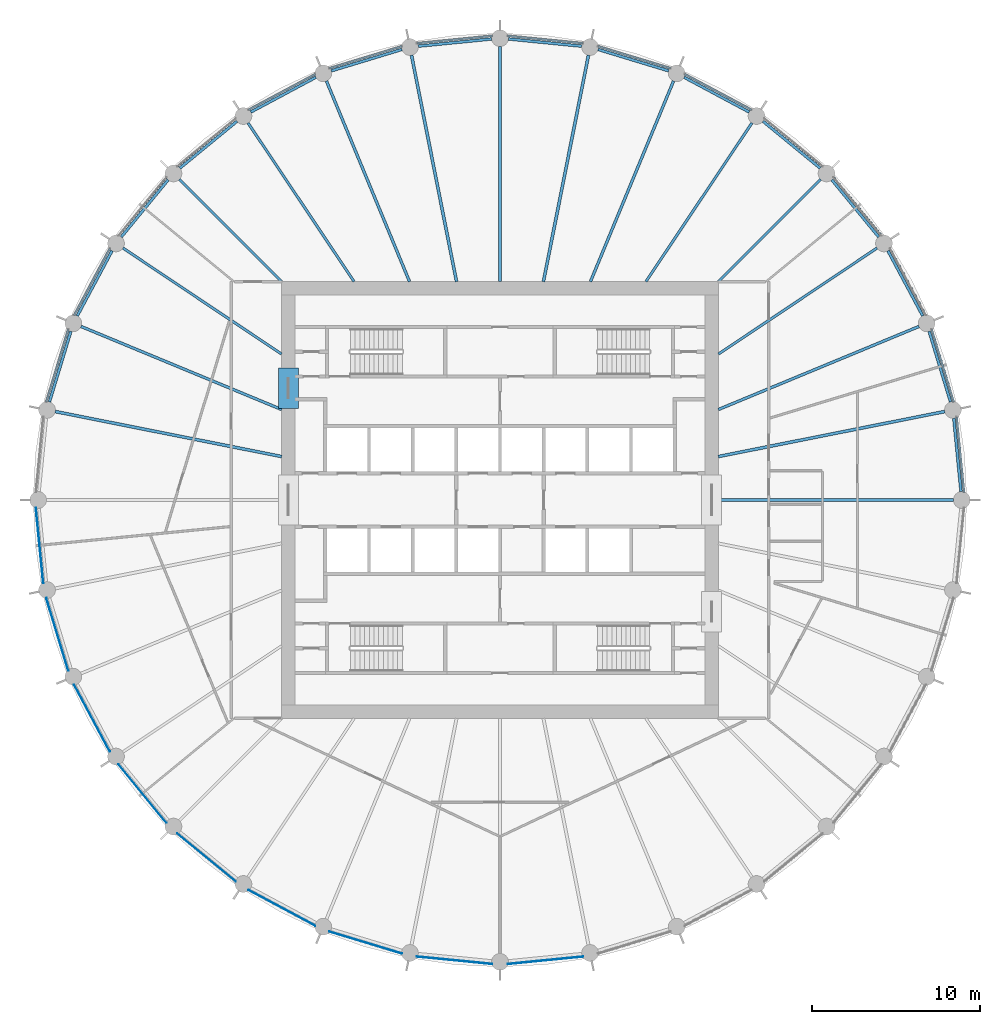
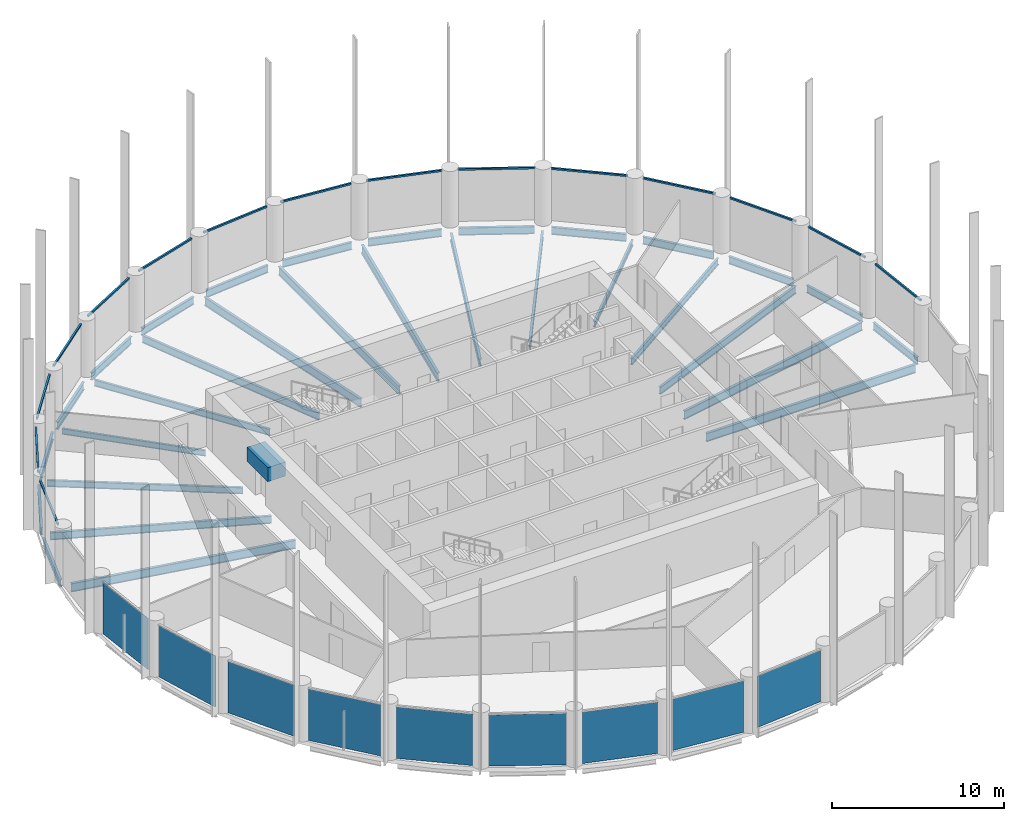
# One storey, part 2 of 8: 32 beams, 15 members, 9 plates, 24 elements without a shape of their own.
"""IFC4 building model written with IfcOpenShell, lengths in metres."""

import ifcopenshell
import ifcopenshell.guid

model = None  # the IFC model being written
_history = None  # IfcOwnerHistory: only IFC2X3 demands one
_inside = {}  # id of a spatial element -> (the spatial element, [elements in it])
_under = {}  # id of a project, library or spatial element -> (it, [spatial elements below it])
_declared = {}  # id of a project -> (the project, [libraries it declares])
_typed = {}  # id of a type object -> (the type object, [elements of that type])
_made_of = {}  # id of a material, layer set ... -> (it, [elements and type objects made of it])


def new_model(schema):
    """Start an empty IFC model of exactly this schema.

    Asked for "IFC4X3", IfcOpenShell would pick the latest addendum, in which some entities
    have other attributes; the version numbers below select the first issue.
    IFC2X3 requires an IfcOwnerHistory on every rooted entity: one is made here for all.
    """
    global model, _history
    if schema == "IFC4X3":
        model = ifcopenshell.file(schema_version=(4, 3, 0, 0))
    else:
        model = ifcopenshell.file(schema=schema)
    _inside.clear()
    _under.clear()
    _declared.clear()
    _typed.clear()
    _made_of.clear()
    _history = None
    if model.schema == "IFC2X3":
        org = make("IfcOrganization", Name="unknown")
        user = make(
            "IfcPersonAndOrganization",
            ThePerson=make("IfcPerson", FamilyName="unknown"),
            TheOrganization=org,
        )
        app = make(
            "IfcApplication",
            ApplicationDeveloper=org,
            Version="unknown",
            ApplicationFullName="unknown",
            ApplicationIdentifier="unknown",
        )
        _history = make(
            "IfcOwnerHistory",
            OwningUser=user,
            OwningApplication=app,
            ChangeAction="ADDED",
            CreationDate=0,
        )
    return model


def make(cls, **values):
    """One entity of the class cls with the attributes given. An attribute that is None is left unset."""
    return model.create_entity(
        cls, **{name: value for name, value in values.items() if value is not None}
    )


def rooted(cls, **values):
    """An entity with a GlobalId (a new one), such as an element, a storey or a relation."""
    return make(cls, GlobalId=ifcopenshell.guid.new(), OwnerHistory=_history, **values)


def si_unit(unit_type, name, prefix=None):
    """IfcSIUnit, for example si_unit("LENGTHUNIT", "METRE", prefix="MILLI")."""
    return make("IfcSIUnit", UnitType=unit_type, Prefix=prefix, Name=name)


def assignment(units):
    """IfcUnitAssignment: the units of a project."""
    return None if units is None else make("IfcUnitAssignment", Units=units)


def point(xyz):
    """IfcCartesianPoint."""
    return None if xyz is None else make("IfcCartesianPoint", Coordinates=xyz)


def direction(xyz):
    """IfcDirection."""
    return None if xyz is None else make("IfcDirection", DirectionRatios=xyz)


def frame(location, z_axis=None, x_axis=None):
    """IfcAxis2Placement3D, a coordinate frame: its origin and axes. An axis left out is left unset."""
    return make(
        "IfcAxis2Placement3D",
        Location=point(location),
        Axis=direction(z_axis),
        RefDirection=direction(x_axis),
    )


def frame_2d(location, x_axis=None):
    """IfcAxis2Placement2D, a coordinate frame in the plane: its origin and x axis."""
    return make(
        "IfcAxis2Placement2D", Location=point(location), RefDirection=direction(x_axis)
    )


def origin():
    """The frame at (0, 0, 0) with its axes left unset."""
    return frame((0.0, 0.0, 0.0))


def origin_2d():
    """The frame at (0, 0) in the plane with its x axis left unset."""
    return frame_2d((0.0, 0.0))


def place(relative_to, where):
    """IfcLocalPlacement: puts the frame where relative to a parent placement (None: the world)."""
    return make(
        "IfcLocalPlacement", PlacementRelTo=relative_to, RelativePlacement=where
    )


def context(
    kind, dimensions, precision=None, world=None, true_north=None, identifier=None
):
    """IfcGeometricRepresentationContext, for example the 3D "Model" context."""
    return make(
        "IfcGeometricRepresentationContext",
        ContextIdentifier=identifier,
        ContextType=kind,
        CoordinateSpaceDimension=dimensions,
        Precision=precision,
        WorldCoordinateSystem=world,
        TrueNorth=true_north,
    )


def subcontext(parent, identifier, kind, view, scale=None):
    """IfcGeometricRepresentationSubContext, for example "Body" below "Model"."""
    return make(
        "IfcGeometricRepresentationSubContext",
        ContextIdentifier=identifier,
        ContextType=kind,
        ParentContext=parent,
        TargetScale=scale,
        TargetView=view,
    )


def project(units=None, contexts=None):
    """IfcProject with its units and contexts."""
    return rooted(
        "IfcProject",
        Name="project",
        RepresentationContexts=contexts,
        UnitsInContext=assignment(units),
    )


def spatial(cls, under=None, at=None, **own):
    """A site, building, storey or space (cls), placed at a placement, below another one or the project."""
    s = rooted(cls, ObjectPlacement=at, **own)
    if under is not None:
        _under.setdefault(under.id(), (under, []))[1].append(s)
    return s


def profile(cls, at=None, kind="AREA", **sizes):
    """A parametric profile (cls). Its sizes go by their IFC names, for example OverallWidth=200.0."""
    return make(cls, ProfileType=kind, Position=at, **sizes)


def rectangle(**sizes):
    """IfcRectangleProfileDef."""
    return profile("IfcRectangleProfileDef", **sizes)


def i_section(**sizes):
    """IfcIShapeProfileDef."""
    return profile("IfcIShapeProfileDef", **sizes)


def extrude(swept, where, along, depth):
    """IfcExtrudedAreaSolid: the profile swept, set in the frame where, extruded along a direction by depth."""
    return make(
        "IfcExtrudedAreaSolid",
        SweptArea=swept,
        Position=where,
        ExtrudedDirection=direction(along),
        Depth=depth,
    )


def shape(context_of_items, identifier, shape_type, items):
    """IfcShapeRepresentation: the items that make up one representation, for example the "Body"."""
    return make(
        "IfcShapeRepresentation",
        ContextOfItems=context_of_items,
        RepresentationIdentifier=identifier,
        RepresentationType=shape_type,
        Items=items,
    )


def material(Name=None, Category=None):
    """IfcMaterial."""
    return make("IfcMaterial", Name=Name, Category=Category)


def layer(
    of_material, thickness, ventilated=None, Name=None, Category=None, Priority=None
):
    """IfcMaterialLayer: one layer of a wall or slab, of a material (None: an air gap)."""
    return make(
        "IfcMaterialLayer",
        Material=of_material,
        LayerThickness=thickness,
        IsVentilated=ventilated,
        Name=Name,
        Category=Category,
        Priority=Priority,
    )


def layer_set(layers, Name=None):
    """IfcMaterialLayerSet."""
    return make("IfcMaterialLayerSet", MaterialLayers=layers, LayerSetName=Name)


def material_profile(
    of_material, cross_section, Name=None, Category=None, Priority=None
):
    """IfcMaterialProfile: a cross section and its material."""
    return make(
        "IfcMaterialProfile",
        Name=Name,
        Material=of_material,
        Profile=cross_section,
        Priority=Priority,
        Category=Category,
    )


def profile_set(profiles, Name=None, composite=None):
    """IfcMaterialProfileSet."""
    return make(
        "IfcMaterialProfileSet",
        Name=Name,
        MaterialProfiles=profiles,
        CompositeProfile=composite,
    )


def made_of(thing, what):
    """Note that an element or type object is made of a material, layer set ...; save() writes the relation."""
    if what is not None:
        _made_of.setdefault(what.id(), (what, []))[1].append(thing)
    return thing


def type_object(cls, material=None, **own):
    """A type object (cls), such as IfcWallType, which elements share."""
    return made_of(rooted(cls, **own), material)


def element(
    cls,
    number,
    at=None,
    inside=None,
    cuts=None,
    type_object=None,
    material=None,
    context=None,
    identifier="Body",
    shape_type=None,
    held_by="IfcProductDefinitionShape",
    body=None,
    shapes=None,
    **own,
):
    """One element of the class cls, such as IfcWall. Its Tag is "e" and its number.

    at: its placement. inside: the storey or other place that contains it. cuts: it is an
    opening in that element (IfcRelVoidsElement). A single representation is given by context,
    identifier, shape_type and body (its items); several are given by shapes. held_by: the class
    of the entity that holds the representations. save() writes the other relations.
    """
    e = rooted(cls, Tag="e%d" % number, ObjectPlacement=at, **own)
    if body is not None:
        shapes = [shape(context, identifier, shape_type, body)]
    if shapes is not None:
        e.Representation = make(held_by, Representations=shapes)
    if inside is not None:
        _inside.setdefault(inside.id(), (inside, []))[1].append(e)
    if cuts is not None:
        rooted(
            "IfcRelVoidsElement", RelatingBuildingElement=cuts, RelatedOpeningElement=e
        )
    if type_object is not None:
        _typed.setdefault(type_object.id(), (type_object, []))[1].append(e)
    return made_of(e, material)


def aggregate(whole, parts):
    """IfcRelAggregates: a whole, such as a stair, and the parts it consists of."""
    return rooted("IfcRelAggregates", RelatingObject=whole, RelatedObjects=parts)


def save(model, path):
    """Write the relations noted so far, then the file.

    IfcRelAggregates (storeys below a building ...), IfcRelContainedInSpatialStructure (elements
    in a storey), IfcRelDefinesByType, IfcRelAssociatesMaterial and IfcRelDeclares: one each for
    every whole, place, type object, material and project.
    """
    for whole, parts in _under.values():
        aggregate(whole, parts)
    for where, things in _inside.values():
        rooted(
            "IfcRelContainedInSpatialStructure",
            RelatedElements=things,
            RelatingStructure=where,
        )
    for kind, things in _typed.values():
        rooted("IfcRelDefinesByType", RelatedObjects=things, RelatingType=kind)
    for what, things in _made_of.values():
        rooted("IfcRelAssociatesMaterial", RelatedObjects=things, RelatingMaterial=what)
    for by, libraries in _declared.values():
        rooted("IfcRelDeclares", RelatingContext=by, RelatedDefinitions=libraries)
    model.write(path)


model = new_model("IFC4")

# Units and contexts
model_context = context("Model", 3, precision=1e-05, world=origin(), true_north=direction((0.0, 1.0)))
body_context = subcontext(model_context, "Body", "Model", "MODEL_VIEW")
ifc_project = project(units=[si_unit("LENGTHUNIT", "METRE"), si_unit("AREAUNIT", "SQUARE_METRE"), si_unit("VOLUMEUNIT", "CUBIC_METRE"), si_unit("PLANEANGLEUNIT", "RADIAN"), si_unit("MASSUNIT", "GRAM", prefix="KILO")], contexts=[model_context])

# Site, building, storey
site_placement = place(None, origin())
site = spatial("IfcSite", under=ifc_project, at=site_placement, CompositionType="ELEMENT")
building_placement = place(site_placement, origin())
building = spatial("IfcBuilding", under=site, at=building_placement, Name="Corvane Civic Tower", CompositionType="ELEMENT")
storey_placement = place(building_placement, frame((0.0, 0.0, 249.5)))
storey = spatial("IfcBuildingStorey", under=building, at=storey_placement, Name="L59", CompositionType="ELEMENT", Elevation=249.5)

# Beams
ifc_material_1 = material(Name="Concrete C50/60", Category="concrete")
ifc_material_profile_1 = material_profile(ifc_material_1, rectangle(XDim=1.199951171875, YDim=1.0, at=origin_2d()), Name="COUPLING BEAM 1200X1000")
ifc_profile_set_1 = profile_set([ifc_material_profile_1], Name="Concrete C50/60")
beam_type_1 = type_object("IfcBeamType", Name="COUPLING BEAM COUPLING BEAM 1200X1000", PredefinedType="BEAM", material=ifc_profile_set_1)
beam_1_placement = place(storey_placement, frame((-12.60009765625, 5.449951171875, 2.60009765625), z_axis=(0.0, 1.0, 0.0), x_axis=(-1.0, 0.0, 0.0)))
element("IfcBeam", 1, at=beam_1_placement, inside=storey, type_object=beam_type_1, Name="BM-L59-cpl-CW-WN", PredefinedType="BEAM", context=body_context, shape_type="SweptSolid", body=[
    extrude(rectangle(XDim=1.199951171875, YDim=1.0, at=origin_2d()), origin(), (0.0, 0.0, 1.0), 2.400146484375),
])
ifc_material_2 = material(Name="Steel ASTM A992 Gr 50", Category="steel")
ifc_material_profile_2 = material_profile(ifc_material_2, i_section(OverallWidth=0.165771484375, OverallDepth=0.5283203125, WebThickness=0.009765625, FlangeThickness=0.013671875, at=origin_2d()), Name="W21X50")
ifc_profile_set_2 = profile_set([ifc_material_profile_2], Name="Steel ASTM A992 Gr 50")
beam_type_2 = type_object("IfcBeamType", Name="EDGE BEAM W21X50", PredefinedType="BEAM", material=ifc_profile_set_2)
beam_2_placement = place(storey_placement, frame((0.49755859375, 27.450927734375, -0.564208984375), z_axis=(0.995189593769, -0.097967711281, 0.0), x_axis=(0.097967711281, 0.995189593769, 0.0)))
element("IfcBeam", 2, at=beam_2_placement, inside=storey, type_object=beam_type_2, Name="BM-L59-E01", PredefinedType="BEAM", context=body_context, shape_type="SweptSolid", body=[
    extrude(i_section(OverallWidth=0.165771484375, OverallDepth=0.5283203125, WebThickness=0.009765625, FlangeThickness=0.013671875, at=origin_2d()), origin(), (0.0, 0.0, 1.0), 4.39111328125),
])
beam_3_placement = place(storey_placement, frame((5.843505859375, 26.826416015625, -0.564208984375), z_axis=(0.956949547653, -0.290254307888, 0.0), x_axis=(0.290254307888, 0.956949547653, 0.0)))
element("IfcBeam", 3, at=beam_3_placement, inside=storey, type_object=beam_type_2, Name="BM-L59-E02", PredefinedType="BEAM", context=body_context, shape_type="SweptSolid", body=[
    extrude(i_section(OverallWidth=0.165771484375, OverallDepth=0.5283203125, WebThickness=0.009765625, FlangeThickness=0.013671875, at=origin_2d()), origin(), (0.0, 0.0, 1.0), 4.390625),
])
for number, where, z_axis, x_axis, name in (
    (4, (10.964599609375, 25.171142578125, -0.564208984375), (0.881907756852, -0.471422006704, 0.0), (0.471422006704, 0.881907756852, 0.0), "BM-L59-E03"),
    (5, (15.66455078125, 22.54833984375, -0.564208984375), (0.773030026524, -0.634369433447, 0.0), (0.634369433447, 0.773030026524, 0.0), "BM-L59-E04"),
    (6, (19.7626953125, 19.05908203125, -0.564208984375), (0.634369433447, -0.773030026524, 0.0), (0.773030026524, 0.634369433447, 0.0), "BM-L59-E05"),
    (7, (23.10107421875, 14.837158203125, -0.564208984375), (0.471422006704, -0.881907756852, 0.0), (0.881907756852, 0.471422006704, 0.0), "BM-L59-E06"),
):
    element("IfcBeam", number, at=place(storey_placement, frame(where, z_axis=z_axis, x_axis=x_axis)), inside=storey, type_object=beam_type_2, Name=name, PredefinedType="BEAM", context=body_context, shape_type="SweptSolid", body=[
        extrude(i_section(OverallWidth=0.165771484375, OverallDepth=0.5283203125, WebThickness=0.009765625, FlangeThickness=0.013671875, at=origin_2d()), origin(), (0.0, 0.0, 1.0), 4.39111328125),
    ])
beam_4_placement = place(storey_placement, frame((25.552001953125, 10.045166015625, -0.564208984375), z_axis=(0.290254307888, -0.956949547653, 0.0), x_axis=(0.956949547653, 0.290254307888, 0.0)))
element("IfcBeam", 8, at=beam_4_placement, inside=storey, type_object=beam_type_2, Name="BM-L59-E07", PredefinedType="BEAM", context=body_context, shape_type="SweptSolid", body=[
    extrude(i_section(OverallWidth=0.165771484375, OverallDepth=0.5283203125, WebThickness=0.009765625, FlangeThickness=0.013671875, at=origin_2d()), origin(), (0.0, 0.0, 1.0), 4.390625),
])
beam_5_placement = place(storey_placement, frame((27.020751953125, 4.867431640625, -0.564208984375), z_axis=(0.097967711281, -0.995189593769, 0.0), x_axis=(0.995189593769, 0.097967711281, 0.0)))
element("IfcBeam", 9, at=beam_5_placement, inside=storey, type_object=beam_type_2, Name="BM-L59-E08", PredefinedType="BEAM", context=body_context, shape_type="SweptSolid", body=[
    extrude(i_section(OverallWidth=0.165771484375, OverallDepth=0.5283203125, WebThickness=0.009765625, FlangeThickness=0.013671875, at=origin_2d()), origin(), (0.0, 0.0, 1.0), 4.39111328125),
])
beam_6_placement = place(storey_placement, frame((-26.826416015625, 5.843505859375, -0.564208984375), z_axis=(0.290254307888, 0.956949547653, 0.0), x_axis=(-0.956949547653, 0.290254307888, 0.0)))
element("IfcBeam", 10, at=beam_6_placement, inside=storey, type_object=beam_type_2, Name="BM-L59-E26", PredefinedType="BEAM", context=body_context, shape_type="SweptSolid", body=[
    extrude(i_section(OverallWidth=0.165771484375, OverallDepth=0.5283203125, WebThickness=0.009765625, FlangeThickness=0.013671875, at=origin_2d()), origin(), (0.0, 0.0, 1.0), 4.390625),
])
for number, where, z_axis, x_axis, name in (
    (11, (-25.171142578125, 10.964599609375, -0.564208984375), (0.471422006704, 0.881907756852, 0.0), (-0.881907756852, 0.471422006704, 0.0), "BM-L59-E27"),
    (12, (-22.54833984375, 15.66455078125, -0.564208984375), (0.634369433447, 0.773030026524, 0.0), (-0.773030026524, 0.634369433447, 0.0), "BM-L59-E28"),
    (13, (-19.05908203125, 19.7626953125, -0.564208984375), (0.773030026524, 0.634369433447, 0.0), (-0.634369433447, 0.773030026524, 0.0), "BM-L59-E29"),
    (14, (-14.837158203125, 23.10107421875, -0.564208984375), (0.881907756852, 0.471422006704, 0.0), (-0.471422006704, 0.881907756852, 0.0), "BM-L59-E30"),
):
    element("IfcBeam", number, at=place(storey_placement, frame(where, z_axis=z_axis, x_axis=x_axis)), inside=storey, type_object=beam_type_2, Name=name, PredefinedType="BEAM", context=body_context, shape_type="SweptSolid", body=[
        extrude(i_section(OverallWidth=0.165771484375, OverallDepth=0.5283203125, WebThickness=0.009765625, FlangeThickness=0.013671875, at=origin_2d()), origin(), (0.0, 0.0, 1.0), 4.39111328125),
    ])
beam_7_placement = place(storey_placement, frame((-10.045166015625, 25.552001953125, -0.564208984375), z_axis=(0.956949547653, 0.290254307888, 0.0), x_axis=(-0.290254307888, 0.956949547653, 0.0)))
element("IfcBeam", 15, at=beam_7_placement, inside=storey, type_object=beam_type_2, Name="BM-L59-E31", PredefinedType="BEAM", context=body_context, shape_type="SweptSolid", body=[
    extrude(i_section(OverallWidth=0.165771484375, OverallDepth=0.5283203125, WebThickness=0.009765625, FlangeThickness=0.013671875, at=origin_2d()), origin(), (0.0, 0.0, 1.0), 4.390625),
])
beam_8_placement = place(storey_placement, frame((-4.867431640625, 27.020751953125, -0.564208984375), z_axis=(0.995189593769, 0.097967711281, 0.0), x_axis=(-0.097967711281, 0.995189593769, 0.0)))
element("IfcBeam", 16, at=beam_8_placement, inside=storey, type_object=beam_type_2, Name="BM-L59-E32", PredefinedType="BEAM", context=body_context, shape_type="SweptSolid", body=[
    extrude(i_section(OverallWidth=0.165771484375, OverallDepth=0.5283203125, WebThickness=0.009765625, FlangeThickness=0.013671875, at=origin_2d()), origin(), (0.0, 0.0, 1.0), 4.39111328125),
])
ifc_material_3 = material(Name="Steel ASTM A992 Gr 50", Category="steel")
ifc_material_profile_3 = material_profile(ifc_material_3, i_section(OverallWidth=0.140380859375, OverallDepth=0.40380859375, WebThickness=0.007080078125, FlangeThickness=0.01123046875, at=origin_2d()), Name="W16X31")
ifc_profile_set_3 = profile_set([ifc_material_profile_3], Name="Steel ASTM A992 Gr 50")
beam_type_3 = type_object("IfcBeamType", Name="FLOOR GIRDER W16X31", PredefinedType="BEAM", material=ifc_profile_set_3)
for number, where, z_axis, x_axis, name in (
    (17, (13.0, 13.0, -0.501953125), (0.707106781187, 0.707106781187, 0.0), (-0.707106781187, 0.707106781187, 0.0), "BM-L59-G05"),
    (18, (-13.0, 13.0, -0.501953125), (-0.707106781187, 0.707106781187, 0.0), (-0.707106781187, -0.707106781187, 0.0), "BM-L59-G29"),
):
    element("IfcBeam", number, at=place(storey_placement, frame(where, z_axis=z_axis, x_axis=x_axis)), inside=storey, type_object=beam_type_3, Name=name, PredefinedType="BEAM", context=body_context, shape_type="SweptSolid", body=[
        extrude(i_section(OverallWidth=0.140380859375, OverallDepth=0.40380859375, WebThickness=0.007080078125, FlangeThickness=0.01123046875, at=origin_2d()), origin(), (0.0, 0.0, 1.0), 8.614990234375),
    ])
ifc_material_4 = material(Name="Steel ASTM A992 Gr 50", Category="steel")
ifc_material_profile_4 = material_profile(ifc_material_4, i_section(OverallWidth=0.15283203125, OverallDepth=0.45458984375, WebThickness=0.008056640625, FlangeThickness=0.013427734375, at=origin_2d()), Name="W18X40")
ifc_profile_set_4 = profile_set([ifc_material_profile_4], Name="Steel ASTM A992 Gr 50")
beam_type_4 = type_object("IfcBeamType", Name="FLOOR GIRDER W18X40", PredefinedType="BEAM", material=ifc_profile_set_4)
for number, where, z_axis, x_axis, name in (
    (19, (8.686279296875, 13.0, -0.52734375), (0.555577326485, 0.831464872557, 0.0), (-0.831464872557, 0.555577326485, 0.0), "BM-L59-G04"),
    (20, (13.0, 8.686279296875, -0.52734375), (0.831464872557, 0.555577326485, 0.0), (-0.555577326485, 0.831464872557, 0.0), "BM-L59-G06"),
    (21, (-13.0, 8.686279296875, -0.52734375), (-0.831464872557, 0.555577326485, 0.0), (-0.555577326485, -0.831464872557, 0.0), "BM-L59-G28"),
    (22, (-8.686279296875, 13.0, -0.52734375), (-0.555577326485, 0.831464872557, 0.0), (-0.831464872557, -0.555577326485, 0.0), "BM-L59-G30"),
):
    element("IfcBeam", number, at=place(storey_placement, frame(where, z_axis=z_axis, x_axis=x_axis)), inside=storey, type_object=beam_type_4, Name=name, PredefinedType="BEAM", context=body_context, shape_type="SweptSolid", body=[
        extrude(i_section(OverallWidth=0.15283203125, OverallDepth=0.45458984375, WebThickness=0.008056640625, FlangeThickness=0.013427734375, at=origin_2d()), origin(), (0.0, 0.0, 1.0), 11.365234375),
    ])
ifc_material_5 = material(Name="Steel ASTM A992 Gr 50", Category="steel")
ifc_material_profile_5 = material_profile(ifc_material_5, i_section(OverallWidth=0.165771484375, OverallDepth=0.5283203125, WebThickness=0.009765625, FlangeThickness=0.013671875, at=origin_2d()), Name="W21X50")
ifc_profile_set_5 = profile_set([ifc_material_profile_5], Name="Steel ASTM A992 Gr 50")
beam_type_5 = type_object("IfcBeamType", Name="FLOOR GIRDER W21X50", PredefinedType="BEAM", material=ifc_profile_set_5)
for number, where, z_axis, x_axis, name in (
    (23, (5.384765625, 13.0, -0.564208984375), (0.382686450378, 0.923878282404, 0.0), (-0.923878282404, 0.382686450378, 0.0), "BM-L59-G03"),
    (24, (13.0, 5.384765625, -0.564208984375), (0.923878282404, 0.382686450378, 0.0), (-0.382686450378, 0.923878282404, 0.0), "BM-L59-G07"),
    (25, (-13.0, 5.384765625, -0.564208984375), (-0.923878282404, 0.382686450378, 0.0), (-0.382686450378, -0.923878282404, 0.0), "BM-L59-G27"),
    (26, (-5.384765625, 13.0, -0.564208984375), (-0.382686450378, 0.923878282404, 0.0), (-0.923878282404, -0.382686450378, 0.0), "BM-L59-G31"),
):
    element("IfcBeam", number, at=place(storey_placement, frame(where, z_axis=z_axis, x_axis=x_axis)), inside=storey, type_object=beam_type_5, Name=name, PredefinedType="BEAM", context=body_context, shape_type="SweptSolid", body=[
        extrude(i_section(OverallWidth=0.165771484375, OverallDepth=0.5283203125, WebThickness=0.009765625, FlangeThickness=0.013671875, at=origin_2d()), origin(), (0.0, 0.0, 1.0), 12.928955078125),
    ])
ifc_material_6 = material(Name="Steel ASTM A992 Gr 50", Category="steel")
ifc_material_profile_6 = material_profile(ifc_material_6, i_section(OverallWidth=0.177978515625, OverallDepth=0.599365234375, WebThickness=0.010009765625, FlangeThickness=0.012939453125, at=origin_2d()), Name="W24X55")
ifc_profile_set_6 = profile_set([ifc_material_profile_6], Name="Steel ASTM A992 Gr 50")
beam_type_6 = type_object("IfcBeamType", Name="FLOOR GIRDER W24X55", PredefinedType="BEAM", material=ifc_profile_set_6)
beam_9_placement = place(storey_placement, frame((0.0, 13.0, -0.599609375), z_axis=(0.0, 1.0, 0.0), x_axis=(-1.0, 0.0, 0.0)))
element("IfcBeam", 27, at=beam_9_placement, inside=storey, type_object=beam_type_6, Name="BM-L59-G01", PredefinedType="BEAM", context=body_context, shape_type="SweptSolid", body=[
    extrude(i_section(OverallWidth=0.177978515625, OverallDepth=0.599365234375, WebThickness=0.010009765625, FlangeThickness=0.012939453125, at=origin_2d()), origin(), (0.0, 0.0, 1.0), 14.0),
])
for number, where, z_axis, x_axis, name in (
    (28, (2.5859375, 13.0, -0.599609375), (0.195077644118, 0.980787802109, 0.0), (-0.980787802109, 0.195077644118, 0.0), "BM-L59-G02"),
    (29, (13.0, 2.5859375, -0.599609375), (0.980787802109, 0.195077644118, 0.0), (-0.195077644118, 0.980787802109, 0.0), "BM-L59-G08"),
):
    element("IfcBeam", number, at=place(storey_placement, frame(where, z_axis=z_axis, x_axis=x_axis)), inside=storey, type_object=beam_type_6, Name=name, PredefinedType="BEAM", context=body_context, shape_type="SweptSolid", body=[
        extrude(i_section(OverallWidth=0.177978515625, OverallDepth=0.599365234375, WebThickness=0.010009765625, FlangeThickness=0.012939453125, at=origin_2d()), origin(), (0.0, 0.0, 1.0), 13.745361328125),
    ])
beam_10_placement = place(storey_placement, frame((13.0, 0.0, -0.599609375), z_axis=(1.0, 0.0, 0.0), x_axis=(0.0, 1.0, 0.0)))
element("IfcBeam", 30, at=beam_10_placement, inside=storey, type_object=beam_type_6, Name="BM-L59-G09", PredefinedType="BEAM", context=body_context, shape_type="SweptSolid", body=[
    extrude(i_section(OverallWidth=0.177978515625, OverallDepth=0.599365234375, WebThickness=0.010009765625, FlangeThickness=0.012939453125, at=origin_2d()), origin(), (0.0, 0.0, 1.0), 14.0),
])
for number, where, z_axis, x_axis, name in (
    (31, (-13.0, 2.5859375, -0.599609375), (-0.980787802109, 0.195077644118, 0.0), (-0.195077644118, -0.980787802109, 0.0), "BM-L59-G26"),
    (32, (-2.5859375, 13.0, -0.599609375), (-0.195077644118, 0.980787802109, 0.0), (-0.980787802109, -0.195077644118, 0.0), "BM-L59-G32"),
):
    element("IfcBeam", number, at=place(storey_placement, frame(where, z_axis=z_axis, x_axis=x_axis)), inside=storey, type_object=beam_type_6, Name=name, PredefinedType="BEAM", context=body_context, shape_type="SweptSolid", body=[
        extrude(i_section(OverallWidth=0.177978515625, OverallDepth=0.599365234375, WebThickness=0.010009765625, FlangeThickness=0.012939453125, at=origin_2d()), origin(), (0.0, 0.0, 1.0), 13.745361328125),
    ])

# Curtain wall, member
ifc_material_7 = material(Name="Anodised aluminium bronze", Category="aluminium")
curtain_wall_type = type_object("IfcCurtainWallType", Name="TOWER CW-T2 STICK CURTAIN WALL", PredefinedType="NOTDEFINED", material=ifc_material_7)
curtain_wall_1_placement = place(storey_placement, origin())
curtain_wall_1 = element("IfcCurtainWall", 33, at=curtain_wall_1_placement, inside=storey, type_object=curtain_wall_type, Name="Curtain wall CW-T2 L59 bay 01", PredefinedType="NOTDEFINED")
ifc_material_8 = material(Name="Anodised aluminium bronze", Category="aluminium")
ifc_material_profile_7 = material_profile(ifc_material_8, rectangle(XDim=0.1201171875, YDim=0.1201171875, at=origin_2d()), Name="TOWER CW-T2 TRANSOM 120x120")
ifc_profile_set_7 = profile_set([ifc_material_profile_7], Name="Anodised aluminium bronze")
member_type = type_object("IfcMemberType", Name="TOWER CW-T2 TRANSOM 120x120", PredefinedType="USERDEFINED", material=ifc_profile_set_7)
member_1_placement = place(storey_placement, frame((0.452392578125, 27.635498046875, 3.68994140625), z_axis=(0.995182207386, -0.098042715701, 0.0), x_axis=(0.098042715701, 0.995182207386, 0.0)))
member_1 = element("IfcMember", 34, at=member_1_placement, type_object=member_type, Name="Transom CW-T2 L59 01.1", ObjectType="TRANSOM", PredefinedType="USERDEFINED", context=body_context, shape_type="SweptSolid", body=[
    extrude(rectangle(XDim=0.1201171875, YDim=0.1201171875, at=origin_2d()), origin(), (0.0, 0.0, 1.0), 4.51708984375),
])
aggregate(curtain_wall_1, [member_1])

curtain_wall_2_placement = place(storey_placement, origin())
curtain_wall_2 = element("IfcCurtainWall", 35, at=curtain_wall_2_placement, inside=storey, type_object=curtain_wall_type, Name="Curtain wall CW-T2 L59 bay 02", PredefinedType="NOTDEFINED")
member_2_placement = place(storey_placement, frame((5.8349609375, 27.016357421875, 3.68994140625), z_axis=(0.956941182173, -0.2902818869, 0.0), x_axis=(0.2902818869, 0.956941182173, 0.0)))
member_2 = element("IfcMember", 36, at=member_2_placement, type_object=member_type, Name="Transom CW-T2 L59 02.1", ObjectType="TRANSOM", PredefinedType="USERDEFINED", context=body_context, shape_type="SweptSolid", body=[
    extrude(rectangle(XDim=0.1201171875, YDim=0.1201171875, at=origin_2d()), origin(), (0.0, 0.0, 1.0), 4.517333984375),
])
aggregate(curtain_wall_2, [member_2])

curtain_wall_3_placement = place(storey_placement, origin())
curtain_wall_3 = element("IfcCurtainWall", 37, at=curtain_wall_3_placement, inside=storey, type_object=curtain_wall_type, Name="Curtain wall CW-T2 L59 bay 03", PredefinedType="NOTDEFINED")
member_3_placement = place(storey_placement, frame((10.993408203125, 25.35888671875, 3.68994140625), z_axis=(0.881924695689, -0.471390317183, 0.0), x_axis=(0.471390317183, 0.881924695689, 0.0)))
member_3 = element("IfcMember", 38, at=member_3_placement, type_object=member_type, Name="Transom CW-T2 L59 03.1", ObjectType="TRANSOM", PredefinedType="USERDEFINED", context=body_context, shape_type="SweptSolid", body=[
    extrude(rectangle(XDim=0.1201171875, YDim=0.1201171875, at=origin_2d()), origin(), (0.0, 0.0, 1.0), 4.517333984375),
])
aggregate(curtain_wall_3, [member_3])

curtain_wall_4_placement = place(storey_placement, origin())
curtain_wall_4 = element("IfcCurtainWall", 39, at=curtain_wall_4_placement, inside=storey, type_object=curtain_wall_type, Name="Curtain wall CW-T2 L59 bay 04", PredefinedType="NOTDEFINED")
member_4_placement = place(storey_placement, frame((15.7294921875, 22.726806640625, 3.68994140625), z_axis=(0.773014925698, -0.634387834569, 0.0), x_axis=(0.634387834569, 0.773014925698, 0.0)))
member_4 = element("IfcMember", 40, at=member_4_placement, type_object=member_type, Name="Transom CW-T2 L59 04.1", ObjectType="TRANSOM", PredefinedType="USERDEFINED", context=body_context, shape_type="SweptSolid", body=[
    extrude(rectangle(XDim=0.1201171875, YDim=0.1201171875, at=origin_2d()), origin(), (0.0, 0.0, 1.0), 4.517333984375),
])
aggregate(curtain_wall_4, [member_4])

curtain_wall_5_placement = place(storey_placement, origin())
curtain_wall_5 = element("IfcCurtainWall", 41, at=curtain_wall_5_placement, inside=storey, type_object=curtain_wall_type, Name="Curtain wall CW-T2 L59 bay 05", PredefinedType="NOTDEFINED")
member_5_placement = place(storey_placement, frame((19.861083984375, 19.221435546875, 3.68994140625), z_axis=(0.634387834569, -0.773014925698, 0.0), x_axis=(0.773014925698, 0.634387834569, 0.0)))
member_5 = element("IfcMember", 42, at=member_5_placement, type_object=member_type, Name="Transom CW-T2 L59 05.1", ObjectType="TRANSOM", PredefinedType="USERDEFINED", context=body_context, shape_type="SweptSolid", body=[
    extrude(rectangle(XDim=0.1201171875, YDim=0.1201171875, at=origin_2d()), origin(), (0.0, 0.0, 1.0), 4.517333984375),
])
aggregate(curtain_wall_5, [member_5])

curtain_wall_6_placement = place(storey_placement, origin())
curtain_wall_6 = element("IfcCurtainWall", 43, at=curtain_wall_6_placement, inside=storey, type_object=curtain_wall_type, Name="Curtain wall CW-T2 L59 bay 06", PredefinedType="NOTDEFINED")
member_6_placement = place(storey_placement, frame((23.2294921875, 14.977294921875, 3.68994140625), z_axis=(0.471390317183, -0.881924695689, 0.0), x_axis=(0.881924695689, 0.471390317183, 0.0)))
member_6 = element("IfcMember", 44, at=member_6_placement, type_object=member_type, Name="Transom CW-T2 L59 06.1", ObjectType="TRANSOM", PredefinedType="USERDEFINED", context=body_context, shape_type="SweptSolid", body=[
    extrude(rectangle(XDim=0.1201171875, YDim=0.1201171875, at=origin_2d()), origin(), (0.0, 0.0, 1.0), 4.517333984375),
])
aggregate(curtain_wall_6, [member_6])

curtain_wall_7_placement = place(storey_placement, origin())
curtain_wall_7 = element("IfcCurtainWall", 45, at=curtain_wall_7_placement, inside=storey, type_object=curtain_wall_type, Name="Curtain wall CW-T2 L59 bay 07", PredefinedType="NOTDEFINED")
member_7_placement = place(storey_placement, frame((25.705078125, 10.15771484375, 3.68994140625), z_axis=(0.2902818869, -0.956941182173, 0.0), x_axis=(0.956941182173, 0.2902818869, 0.0)))
member_7 = element("IfcMember", 46, at=member_7_placement, type_object=member_type, Name="Transom CW-T2 L59 07.1", ObjectType="TRANSOM", PredefinedType="USERDEFINED", context=body_context, shape_type="SweptSolid", body=[
    extrude(rectangle(XDim=0.1201171875, YDim=0.1201171875, at=origin_2d()), origin(), (0.0, 0.0, 1.0), 4.517333984375),
])
aggregate(curtain_wall_7, [member_7])

curtain_wall_8_placement = place(storey_placement, origin())
curtain_wall_8 = element("IfcCurtainWall", 47, at=curtain_wall_8_placement, inside=storey, type_object=curtain_wall_type, Name="Curtain wall CW-T2 L59 bay 08", PredefinedType="NOTDEFINED")
member_8_placement = place(storey_placement, frame((27.192626953125, 4.94775390625, 3.68994140625), z_axis=(0.098042715701, -0.995182207386, 0.0), x_axis=(0.995182207386, 0.098042715701, 0.0)))
member_8 = element("IfcMember", 48, at=member_8_placement, type_object=member_type, Name="Transom CW-T2 L59 08.1", ObjectType="TRANSOM", PredefinedType="USERDEFINED", context=body_context, shape_type="SweptSolid", body=[
    extrude(rectangle(XDim=0.1201171875, YDim=0.1201171875, at=origin_2d()), origin(), (0.0, 0.0, 1.0), 4.51708984375),
])
aggregate(curtain_wall_8, [member_8])

curtain_wall_9_placement = place(storey_placement, origin())
curtain_wall_9 = element("IfcCurtainWall", 49, at=curtain_wall_9_placement, inside=storey, type_object=curtain_wall_type, Name="Curtain wall CW-T2 L59 bay 26", PredefinedType="NOTDEFINED")
member_9_placement = place(storey_placement, frame((-27.016357421875, 5.8349609375, 3.68994140625), z_axis=(0.2902818869, 0.956941182173, 0.0), x_axis=(-0.956941182173, 0.2902818869, 0.0)))
member_9 = element("IfcMember", 50, at=member_9_placement, type_object=member_type, Name="Transom CW-T2 L59 26.1", ObjectType="TRANSOM", PredefinedType="USERDEFINED", context=body_context, shape_type="SweptSolid", body=[
    extrude(rectangle(XDim=0.1201171875, YDim=0.1201171875, at=origin_2d()), origin(), (0.0, 0.0, 1.0), 4.517333984375),
])
aggregate(curtain_wall_9, [member_9])

curtain_wall_10_placement = place(storey_placement, origin())
curtain_wall_10 = element("IfcCurtainWall", 51, at=curtain_wall_10_placement, inside=storey, type_object=curtain_wall_type, Name="Curtain wall CW-T2 L59 bay 27", PredefinedType="NOTDEFINED")
member_10_placement = place(storey_placement, frame((-25.35888671875, 10.993408203125, 3.68994140625), z_axis=(0.471390317183, 0.881924695689, 0.0), x_axis=(-0.881924695689, 0.471390317183, 0.0)))
member_10 = element("IfcMember", 52, at=member_10_placement, type_object=member_type, Name="Transom CW-T2 L59 27.1", ObjectType="TRANSOM", PredefinedType="USERDEFINED", context=body_context, shape_type="SweptSolid", body=[
    extrude(rectangle(XDim=0.1201171875, YDim=0.1201171875, at=origin_2d()), origin(), (0.0, 0.0, 1.0), 4.517333984375),
])
aggregate(curtain_wall_10, [member_10])

curtain_wall_11_placement = place(storey_placement, origin())
curtain_wall_11 = element("IfcCurtainWall", 53, at=curtain_wall_11_placement, inside=storey, type_object=curtain_wall_type, Name="Curtain wall CW-T2 L59 bay 28", PredefinedType="NOTDEFINED")
member_11_placement = place(storey_placement, frame((-22.726806640625, 15.7294921875, 3.68994140625), z_axis=(0.634387834569, 0.773014925698, 0.0), x_axis=(-0.773014925698, 0.634387834569, 0.0)))
member_11 = element("IfcMember", 54, at=member_11_placement, type_object=member_type, Name="Transom CW-T2 L59 28.1", ObjectType="TRANSOM", PredefinedType="USERDEFINED", context=body_context, shape_type="SweptSolid", body=[
    extrude(rectangle(XDim=0.1201171875, YDim=0.1201171875, at=origin_2d()), origin(), (0.0, 0.0, 1.0), 4.517333984375),
])
aggregate(curtain_wall_11, [member_11])

curtain_wall_12_placement = place(storey_placement, origin())
curtain_wall_12 = element("IfcCurtainWall", 55, at=curtain_wall_12_placement, inside=storey, type_object=curtain_wall_type, Name="Curtain wall CW-T2 L59 bay 29", PredefinedType="NOTDEFINED")
member_12_placement = place(storey_placement, frame((-19.221435546875, 19.861083984375, 3.68994140625), z_axis=(0.773014925698, 0.634387834569, 0.0), x_axis=(-0.634387834569, 0.773014925698, 0.0)))
member_12 = element("IfcMember", 56, at=member_12_placement, type_object=member_type, Name="Transom CW-T2 L59 29.1", ObjectType="TRANSOM", PredefinedType="USERDEFINED", context=body_context, shape_type="SweptSolid", body=[
    extrude(rectangle(XDim=0.1201171875, YDim=0.1201171875, at=origin_2d()), origin(), (0.0, 0.0, 1.0), 4.517333984375),
])
aggregate(curtain_wall_12, [member_12])

curtain_wall_13_placement = place(storey_placement, origin())
curtain_wall_13 = element("IfcCurtainWall", 57, at=curtain_wall_13_placement, inside=storey, type_object=curtain_wall_type, Name="Curtain wall CW-T2 L59 bay 30", PredefinedType="NOTDEFINED")
member_13_placement = place(storey_placement, frame((-14.977294921875, 23.2294921875, 3.68994140625), z_axis=(0.881924695689, 0.471390317183, 0.0), x_axis=(-0.471390317183, 0.881924695689, 0.0)))
member_13 = element("IfcMember", 58, at=member_13_placement, type_object=member_type, Name="Transom CW-T2 L59 30.1", ObjectType="TRANSOM", PredefinedType="USERDEFINED", context=body_context, shape_type="SweptSolid", body=[
    extrude(rectangle(XDim=0.1201171875, YDim=0.1201171875, at=origin_2d()), origin(), (0.0, 0.0, 1.0), 4.517333984375),
])
aggregate(curtain_wall_13, [member_13])

curtain_wall_14_placement = place(storey_placement, origin())
curtain_wall_14 = element("IfcCurtainWall", 59, at=curtain_wall_14_placement, inside=storey, type_object=curtain_wall_type, Name="Curtain wall CW-T2 L59 bay 31", PredefinedType="NOTDEFINED")
member_14_placement = place(storey_placement, frame((-10.15771484375, 25.705078125, 3.68994140625), z_axis=(0.956941182173, 0.2902818869, 0.0), x_axis=(-0.2902818869, 0.956941182173, 0.0)))
member_14 = element("IfcMember", 60, at=member_14_placement, type_object=member_type, Name="Transom CW-T2 L59 31.1", ObjectType="TRANSOM", PredefinedType="USERDEFINED", context=body_context, shape_type="SweptSolid", body=[
    extrude(rectangle(XDim=0.1201171875, YDim=0.1201171875, at=origin_2d()), origin(), (0.0, 0.0, 1.0), 4.517333984375),
])
aggregate(curtain_wall_14, [member_14])

curtain_wall_15_placement = place(storey_placement, origin())
curtain_wall_15 = element("IfcCurtainWall", 61, at=curtain_wall_15_placement, inside=storey, type_object=curtain_wall_type, Name="Curtain wall CW-T2 L59 bay 32", PredefinedType="NOTDEFINED")
member_15_placement = place(storey_placement, frame((-4.94775390625, 27.192626953125, 3.68994140625), z_axis=(0.995182207386, 0.098042715701, 0.0), x_axis=(-0.098042715701, 0.995182207386, 0.0)))
member_15 = element("IfcMember", 62, at=member_15_placement, type_object=member_type, Name="Transom CW-T2 L59 32.1", ObjectType="TRANSOM", PredefinedType="USERDEFINED", context=body_context, shape_type="SweptSolid", body=[
    extrude(rectangle(XDim=0.1201171875, YDim=0.1201171875, at=origin_2d()), origin(), (0.0, 0.0, 1.0), 4.51708984375),
])
aggregate(curtain_wall_15, [member_15])

# Curtain wall, plate
curtain_wall_16_placement = place(storey_placement, origin())
curtain_wall_16 = element("IfcCurtainWall", 63, at=curtain_wall_16_placement, inside=storey, type_object=curtain_wall_type, Name="Curtain wall CW-T2 L59 bay 16", PredefinedType="NOTDEFINED")
ifc_material_9 = material(Name="Tinted glass", Category="glass")
ifc_layer = layer(ifc_material_9, 0.031982421875)
ifc_layer_set = layer_set([ifc_layer], Name="Tinted glass")
plate_type = type_object("IfcPlateType", Name="TOWER CW-T2 PANEL IGU32", PredefinedType="CURTAIN_PANEL", material=ifc_layer_set)
plate_1_placement = place(storey_placement, frame((2.699951171875, -27.4140625, 0.0), z_axis=(0.0, 0.0, 1.0), x_axis=(-0.995187058378, -0.097993463235, 0.0)))
plate_1 = element("IfcPlate", 64, at=plate_1_placement, type_object=plate_type, Name="Glass panel CW-T2 L59 16.1", PredefinedType="CURTAIN_PANEL", context=body_context, shape_type="SweptSolid", body=[
    extrude(rectangle(XDim=4.517333984375, YDim=0.031982421875, at=origin_2d()), origin(), (0.0, 0.0, 1.0), 3.6298828125),
])
aggregate(curtain_wall_16, [plate_1])

curtain_wall_17_placement = place(storey_placement, origin())
curtain_wall_17 = element("IfcCurtainWall", 65, at=curtain_wall_17_placement, inside=storey, type_object=curtain_wall_type, Name="Curtain wall CW-T2 L59 bay 17", PredefinedType="NOTDEFINED")
plate_2_placement = place(storey_placement, frame((-2.699951171875, -27.4140625, 0.0), z_axis=(0.0, 0.0, 1.0), x_axis=(-0.995187058378, 0.097993463235, 0.0)))
plate_2 = element("IfcPlate", 66, at=plate_2_placement, type_object=plate_type, Name="Glass panel CW-T2 L59 17.1", PredefinedType="CURTAIN_PANEL", context=body_context, shape_type="SweptSolid", body=[
    extrude(rectangle(XDim=4.517333984375, YDim=0.031982421875, at=origin_2d()), origin(), (0.0, 0.0, 1.0), 3.6298828125),
])
aggregate(curtain_wall_17, [plate_2])

curtain_wall_18_placement = place(storey_placement, origin())
curtain_wall_18 = element("IfcCurtainWall", 67, at=curtain_wall_18_placement, inside=storey, type_object=curtain_wall_type, Name="Curtain wall CW-T2 L59 bay 18", PredefinedType="NOTDEFINED")
plate_3_placement = place(storey_placement, frame((-7.996337890625, -26.360595703125, 0.0), z_axis=(0.0, 0.0, 1.0), x_axis=(-0.956938843612, 0.290289596069, 0.0)))
plate_3 = element("IfcPlate", 68, at=plate_3_placement, type_object=plate_type, Name="Glass panel CW-T2 L59 18.1", PredefinedType="CURTAIN_PANEL", context=body_context, shape_type="SweptSolid", body=[
    extrude(rectangle(XDim=4.517333984375, YDim=0.031982421875, at=origin_2d()), origin(), (0.0, 0.0, 1.0), 3.6298828125),
])
aggregate(curtain_wall_18, [plate_3])

curtain_wall_19_placement = place(storey_placement, origin())
curtain_wall_19 = element("IfcCurtainWall", 69, at=curtain_wall_19_placement, inside=storey, type_object=curtain_wall_type, Name="Curtain wall CW-T2 L59 bay 19", PredefinedType="NOTDEFINED")
plate_4_placement = place(storey_placement, frame((-12.9853515625, -24.294189453125, 0.0), z_axis=(0.0, 0.0, 1.0), x_axis=(-0.881920381001, 0.471398389449, 0.0)))
plate_4 = element("IfcPlate", 70, at=plate_4_placement, type_object=plate_type, Name="Glass panel CW-T2 L59 19.1", PredefinedType="CURTAIN_PANEL", context=body_context, shape_type="SweptSolid", body=[
    extrude(rectangle(XDim=4.517333984375, YDim=0.031982421875, at=origin_2d()), origin(), (0.0, 0.0, 1.0), 3.6298828125),
])
aggregate(curtain_wall_19, [plate_4])

curtain_wall_20_placement = place(storey_placement, origin())
curtain_wall_20 = element("IfcCurtainWall", 71, at=curtain_wall_20_placement, inside=storey, type_object=curtain_wall_type, Name="Curtain wall CW-T2 L59 bay 20", PredefinedType="NOTDEFINED")
plate_5_placement = place(storey_placement, frame((-17.475341796875, -21.2939453125, 0.0), z_axis=(0.0, 0.0, 1.0), x_axis=(-0.773012269331, 0.634391071394, 0.0)))
plate_5 = element("IfcPlate", 72, at=plate_5_placement, type_object=plate_type, Name="Glass panel CW-T2 L59 20.1", PredefinedType="CURTAIN_PANEL", context=body_context, shape_type="SweptSolid", body=[
    extrude(rectangle(XDim=4.517333984375, YDim=0.031982421875, at=origin_2d()), origin(), (0.0, 0.0, 1.0), 3.6298828125),
])
aggregate(curtain_wall_20, [plate_5])

curtain_wall_21_placement = place(storey_placement, origin())
curtain_wall_21 = element("IfcCurtainWall", 73, at=curtain_wall_21_placement, inside=storey, type_object=curtain_wall_type, Name="Curtain wall CW-T2 L59 bay 21", PredefinedType="NOTDEFINED")
plate_6_placement = place(storey_placement, frame((-21.2939453125, -17.475341796875, 0.0), z_axis=(0.0, 0.0, 1.0), x_axis=(-0.634391071394, 0.773012269331, 0.0)))
plate_6 = element("IfcPlate", 74, at=plate_6_placement, type_object=plate_type, Name="Glass panel CW-T2 L59 21.1", PredefinedType="CURTAIN_PANEL", context=body_context, shape_type="SweptSolid", body=[
    extrude(rectangle(XDim=4.517333984375, YDim=0.031982421875, at=origin_2d()), origin(), (0.0, 0.0, 1.0), 3.6298828125),
])
aggregate(curtain_wall_21, [plate_6])

curtain_wall_22_placement = place(storey_placement, origin())
curtain_wall_22 = element("IfcCurtainWall", 75, at=curtain_wall_22_placement, inside=storey, type_object=curtain_wall_type, Name="Curtain wall CW-T2 L59 bay 22", PredefinedType="NOTDEFINED")
plate_7_placement = place(storey_placement, frame((-24.294189453125, -12.9853515625, 0.0), z_axis=(0.0, 0.0, 1.0), x_axis=(-0.471398389449, 0.881920381001, 0.0)))
plate_7 = element("IfcPlate", 76, at=plate_7_placement, type_object=plate_type, Name="Glass panel CW-T2 L59 22.1", PredefinedType="CURTAIN_PANEL", context=body_context, shape_type="SweptSolid", body=[
    extrude(rectangle(XDim=4.517333984375, YDim=0.031982421875, at=origin_2d()), origin(), (0.0, 0.0, 1.0), 3.6298828125),
])
aggregate(curtain_wall_22, [plate_7])

curtain_wall_23_placement = place(storey_placement, origin())
curtain_wall_23 = element("IfcCurtainWall", 77, at=curtain_wall_23_placement, inside=storey, type_object=curtain_wall_type, Name="Curtain wall CW-T2 L59 bay 23", PredefinedType="NOTDEFINED")
plate_8_placement = place(storey_placement, frame((-26.360595703125, -7.996337890625, 0.0), z_axis=(0.0, 0.0, 1.0), x_axis=(-0.290289596069, 0.956938843612, 0.0)))
plate_8 = element("IfcPlate", 78, at=plate_8_placement, type_object=plate_type, Name="Glass panel CW-T2 L59 23.1", PredefinedType="CURTAIN_PANEL", context=body_context, shape_type="SweptSolid", body=[
    extrude(rectangle(XDim=4.517333984375, YDim=0.031982421875, at=origin_2d()), origin(), (0.0, 0.0, 1.0), 3.6298828125),
])
aggregate(curtain_wall_23, [plate_8])

curtain_wall_24_placement = place(storey_placement, origin())
curtain_wall_24 = element("IfcCurtainWall", 79, at=curtain_wall_24_placement, inside=storey, type_object=curtain_wall_type, Name="Curtain wall CW-T2 L59 bay 24", PredefinedType="NOTDEFINED")
plate_9_placement = place(storey_placement, frame((-27.4140625, -2.699951171875, 0.0), z_axis=(0.0, 0.0, 1.0), x_axis=(-0.097993463235, 0.995187058378, 0.0)))
plate_9 = element("IfcPlate", 80, at=plate_9_placement, type_object=plate_type, Name="Glass panel CW-T2 L59 24.1", PredefinedType="CURTAIN_PANEL", context=body_context, shape_type="SweptSolid", body=[
    extrude(rectangle(XDim=4.517333984375, YDim=0.031982421875, at=origin_2d()), origin(), (0.0, 0.0, 1.0), 3.6298828125),
])
aggregate(curtain_wall_24, [plate_9])

save(model, "model.ifc")
